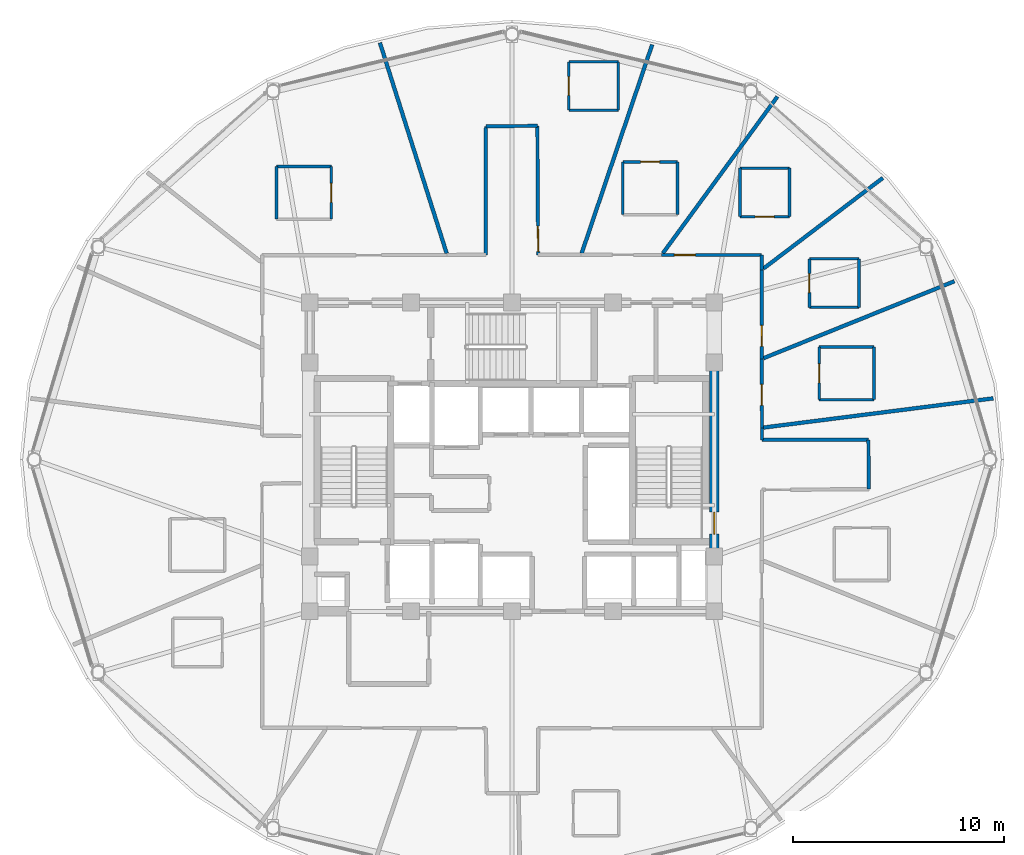
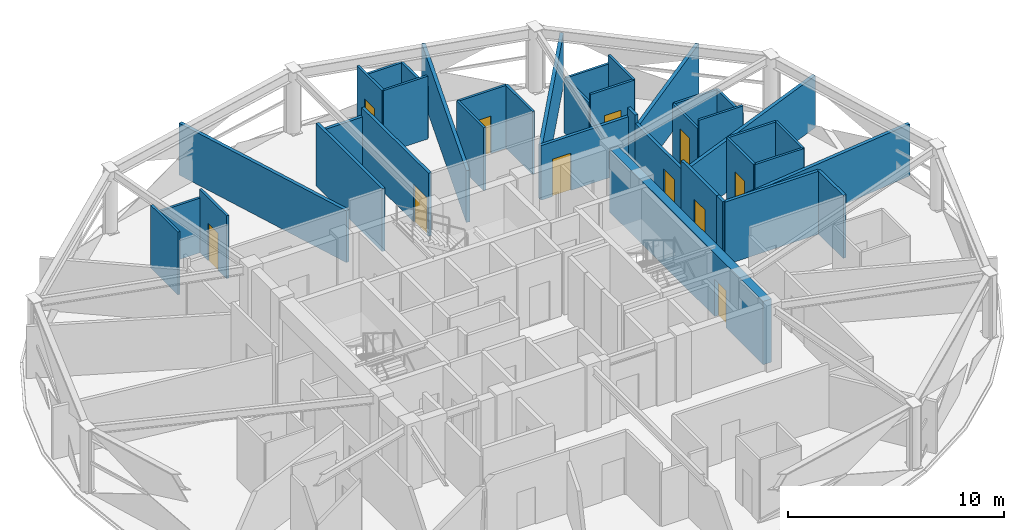
# One storey, part 25 of 30: 39 walls, 11 doors, 11 openings.
"""IFC4 building model written with IfcOpenShell, lengths in metres."""

from ifc_helpers import new_model, si_unit, direction, frame, frame_2d, origin, place, context, subcontext, project, spatial, rectangle, extrude, material, layer, layer_set, type_object, element, fill, save


model = new_model("IFC4")

# Units and contexts
model_context = context("Model", 3, precision=1e-05, world=origin(), true_north=direction((0.0, 1.0)))
body_context = subcontext(model_context, "Body", "Model", "MODEL_VIEW")
ifc_project = project(units=[si_unit("LENGTHUNIT", "METRE"), si_unit("AREAUNIT", "SQUARE_METRE"), si_unit("VOLUMEUNIT", "CUBIC_METRE"), si_unit("PLANEANGLEUNIT", "RADIAN"), si_unit("MASSUNIT", "GRAM", prefix="KILO")], contexts=[model_context])

# Site, building, storey
site_placement = place(None, origin())
site = spatial("IfcSite", under=ifc_project, at=site_placement, CompositionType="ELEMENT")
building_placement = place(site_placement, origin())
building = spatial("IfcBuilding", under=site, at=building_placement, Name="Vantalir Tower", CompositionType="ELEMENT")
storey_placement = place(building_placement, frame((0.0, 0.0, 186.14990234375)))
storey = spatial("IfcBuildingStorey", under=building, at=storey_placement, Name="L46", CompositionType="ELEMENT", Elevation=186.14990234375)

# Walls
ifc_material_1 = material(Name="Moisture-resistant en-suite partition", Category="gypsum")
ifc_layer_1 = layer(ifc_material_1, 0.125)
ifc_layer_set_1 = layer_set([ifc_layer_1], Name="Moisture-resistant en-suite partition")
wall_type_1 = type_object("IfcWallType", Name="WL-BATH-125", PredefinedType="PARTITIONING", material=ifc_layer_set_1)
for number, where, z_axis, x_axis, name in (
    (1, (46.080078125, 27.842041015625, 0.0), (0.0, 0.0, 1.0), (1.0, 0.0, 0.0), "L46 En-suite 01 South Wall"),
    (2, (46.080078125, 30.342041015625, 0.0), (0.0, 0.0, 1.0), (1.0, 0.0, 0.0), "L46 En-suite 01 North Wall"),
):
    element("IfcWall", number, at=place(storey_placement, frame(where, z_axis=z_axis, x_axis=x_axis)), inside=storey, type_object=wall_type_1, Name=name, PredefinedType="PARTITIONING", context=body_context, shape_type="SweptSolid", body=[
        extrude(rectangle(XDim=2.599853515625, YDim=0.125, at=frame_2d((1.2998046875, 0.0))), origin(), (0.0, 0.0, 1.0), 3.550048828125),
    ])

# Wall, opening, door
wall_1_placement = place(storey_placement, frame((46.080078125, 27.842041015625, 0.0), z_axis=(0.0, 0.0, 1.0), x_axis=(0.0, 1.0, 0.0)))
wall_1 = element("IfcWall", 3, at=wall_1_placement, inside=storey, type_object=wall_type_1, Name="L46 En-suite 01 West Wall", PredefinedType="PARTITIONING", context=body_context, shape_type="SweptSolid", body=[
    extrude(rectangle(XDim=2.5, YDim=0.125, at=frame_2d((1.25, 0.0))), origin(), (0.0, 0.0, 1.0), 3.550048828125),
])
opening_1_placement = place(wall_1_placement, frame((0.800048828125, 0.0, 0.0)))
opening_1 = element("IfcOpeningElement", 4, at=opening_1_placement, cuts=wall_1, Name="Opening D-WC", PredefinedType="OPENING", context=body_context, shape_type="SweptSolid", body=[
    extrude(rectangle(XDim=0.89990234375, YDim=2.10009765625, at=frame_2d((0.449951171875, 1.050048828125))), frame((0.0, 0.072509765625, 0.0), z_axis=(0.0, -1.0, 0.0), x_axis=(1.0, 0.0, 0.0)), (0.0, 0.0, 1.0), 0.14501953125),
])
ifc_material_2 = material(Name="Moisture-resistant hardwood door", Category="wood")
door_type_1 = type_object("IfcDoorType", Name="DR-ENSUITE-900", OperationType="NOTDEFINED", PredefinedType="DOOR", material=ifc_material_2)
door_1_placement = place(opening_1_placement, frame((0.89990234375, 0.0, 0.0), z_axis=(0.0, 0.0, 1.0), x_axis=(-1.0, 0.0, 0.0)))
door_1 = element("IfcDoor", 5, at=door_1_placement, inside=storey, type_object=door_type_1, Name="L46 En-suite 01 Door", OperationType="SINGLE_SWING_RIGHT", OverallHeight=2.10009765625, OverallWidth=0.89990234375, PredefinedType="DOOR", context=body_context, shape_type="SweptSolid", body=[
    extrude(rectangle(XDim=0.89990234375, YDim=2.10009765625, at=frame_2d((0.449951171875, 1.050048828125))), frame((0.0, 0.02490234375, 0.0), z_axis=(0.0, -1.0, 0.0), x_axis=(1.0, 0.0, 0.0)), (0.0, 0.0, 1.0), 0.050048828125),
])
fill(opening_1, door_1)

# Walls
wall_2_placement = place(storey_placement, frame((48.679931640625, 27.842041015625, 0.0), z_axis=(0.0, 0.0, 1.0), x_axis=(0.0, 1.0, 0.0)))
element("IfcWall", 6, at=wall_2_placement, inside=storey, type_object=wall_type_1, Name="L46 En-suite 01 East Wall", PredefinedType="PARTITIONING", context=body_context, shape_type="SweptSolid", body=[
    extrude(rectangle(XDim=2.5, YDim=0.125, at=frame_2d((1.25, 0.0))), origin(), (0.0, 0.0, 1.0), 3.550048828125),
])
wall_3_placement = place(storey_placement, frame((45.616943359375, 32.22509765625, 0.0), z_axis=(0.0, 0.0, 1.0), x_axis=(1.0, 0.0, 0.0)))
element("IfcWall", 7, at=wall_3_placement, inside=storey, type_object=wall_type_1, Name="L46 En-suite 02 South Wall", PredefinedType="PARTITIONING", context=body_context, shape_type="SweptSolid", body=[
    extrude(rectangle(XDim=2.35009765625, YDim=0.125, at=frame_2d((1.175048828125, 0.0))), origin(), (0.0, 0.0, 1.0), 3.550048828125),
])
wall_4_placement = place(storey_placement, frame((45.616943359375, 34.52490234375, 0.0), z_axis=(0.0, 0.0, 1.0), x_axis=(1.0, 0.0, 0.0)))
element("IfcWall", 8, at=wall_4_placement, inside=storey, type_object=wall_type_1, Name="L46 En-suite 02 North Wall", PredefinedType="PARTITIONING", context=body_context, shape_type="SweptSolid", body=[
    extrude(rectangle(XDim=2.35009765625, YDim=0.125, at=frame_2d((1.175048828125, 0.0))), origin(), (0.0, 0.0, 1.0), 3.0810546875),
])

# Wall, opening, door
wall_5_placement = place(storey_placement, frame((45.616943359375, 32.22509765625, 0.0), z_axis=(0.0, 0.0, 1.0), x_axis=(0.0, 1.0, 0.0)))
wall_5 = element("IfcWall", 9, at=wall_5_placement, inside=storey, type_object=wall_type_1, Name="L46 En-suite 02 West Wall", PredefinedType="PARTITIONING", context=body_context, shape_type="SweptSolid", body=[
    extrude(rectangle(XDim=2.2998046875, YDim=0.125, at=frame_2d((1.14990234375, 0.0))), origin(), (0.0, 0.0, 1.0), 3.0810546875),
])
opening_2_placement = place(wall_5_placement, frame((0.699951171875, 0.0, 0.0)))
opening_2 = element("IfcOpeningElement", 10, at=opening_2_placement, cuts=wall_5, Name="Opening D-WC", PredefinedType="OPENING", context=body_context, shape_type="SweptSolid", body=[
    extrude(rectangle(XDim=0.89990234375, YDim=2.10009765625, at=frame_2d((0.449951171875, 1.050048828125))), frame((0.0, 0.072509765625, 0.0), z_axis=(0.0, -1.0, 0.0), x_axis=(1.0, 0.0, 0.0)), (0.0, 0.0, 1.0), 0.14501953125),
])
door_2_placement = place(opening_2_placement, frame((0.89990234375, 0.0, 0.0), z_axis=(0.0, 0.0, 1.0), x_axis=(-1.0, 0.0, 0.0)))
door_2 = element("IfcDoor", 11, at=door_2_placement, inside=storey, type_object=door_type_1, Name="L46 En-suite 02 Door", OperationType="SINGLE_SWING_LEFT", OverallHeight=2.10009765625, OverallWidth=0.89990234375, PredefinedType="DOOR", context=body_context, shape_type="SweptSolid", body=[
    extrude(rectangle(XDim=0.89990234375, YDim=2.10009765625, at=frame_2d((0.449951171875, 1.050048828125))), frame((0.0, 0.02490234375, 0.0), z_axis=(0.0, -1.0, 0.0), x_axis=(1.0, 0.0, 0.0)), (0.0, 0.0, 1.0), 0.050048828125),
])
fill(opening_2, door_2)

# Wall
wall_6_placement = place(storey_placement, frame((47.967041015625, 32.22509765625, 0.0), z_axis=(0.0, 0.0, 1.0), x_axis=(0.0, 1.0, 0.0)))
element("IfcWall", 12, at=wall_6_placement, inside=storey, type_object=wall_type_1, Name="L46 En-suite 02 East Wall", PredefinedType="PARTITIONING", context=body_context, shape_type="SweptSolid", body=[
    extrude(rectangle(XDim=2.2998046875, YDim=0.125, at=frame_2d((1.14990234375, 0.0))), origin(), (0.0, 0.0, 1.0), 3.0810546875),
])

# Wall, opening, door
wall_7_placement = place(storey_placement, frame((42.319091796875, 36.530029296875, 0.0), z_axis=(0.0, 0.0, 1.0), x_axis=(1.0, 0.0, 0.0)))
wall_7 = element("IfcWall", 13, at=wall_7_placement, inside=storey, type_object=wall_type_1, Name="L46 En-suite 03 South Wall", PredefinedType="PARTITIONING", context=body_context, shape_type="SweptSolid", body=[
    extrude(rectangle(XDim=2.349853515625, YDim=0.125, at=frame_2d((1.1748046875, 0.0))), origin(), (0.0, 0.0, 1.0), 3.550048828125),
])
opening_3_placement = place(wall_7_placement, frame((0.72509765625, 0.0, 0.0)))
opening_3 = element("IfcOpeningElement", 14, at=opening_3_placement, cuts=wall_7, Name="Opening D-WC", PredefinedType="OPENING", context=body_context, shape_type="SweptSolid", body=[
    extrude(rectangle(XDim=0.89990234375, YDim=2.10009765625, at=frame_2d((0.449951171875, 1.050048828125))), frame((0.0, 0.072509765625, 0.0), z_axis=(0.0, -1.0, 0.0), x_axis=(1.0, 0.0, 0.0)), (0.0, 0.0, 1.0), 0.14501953125),
])
door_3_placement = place(opening_3_placement, origin())
door_3 = element("IfcDoor", 15, at=door_3_placement, inside=storey, type_object=door_type_1, Name="L46 En-suite 03 Door", OperationType="SINGLE_SWING_RIGHT", OverallHeight=2.10009765625, OverallWidth=0.89990234375, PredefinedType="DOOR", context=body_context, shape_type="SweptSolid", body=[
    extrude(rectangle(XDim=0.89990234375, YDim=2.10009765625, at=frame_2d((0.449951171875, 1.050048828125))), frame((0.0, 0.02490234375, 0.0), z_axis=(0.0, -1.0, 0.0), x_axis=(1.0, 0.0, 0.0)), (0.0, 0.0, 1.0), 0.050048828125),
])
fill(opening_3, door_3)

# Walls
wall_8_placement = place(storey_placement, frame((42.319091796875, 38.830078125, 0.0), z_axis=(0.0, 0.0, 1.0), x_axis=(1.0, 0.0, 0.0)))
element("IfcWall", 16, at=wall_8_placement, inside=storey, type_object=wall_type_1, Name="L46 En-suite 03 North Wall", PredefinedType="PARTITIONING", context=body_context, shape_type="SweptSolid", body=[
    extrude(rectangle(XDim=2.349853515625, YDim=0.125, at=frame_2d((1.1748046875, 0.0))), origin(), (0.0, 0.0, 1.0), 3.0810546875),
])
wall_9_placement = place(storey_placement, frame((42.319091796875, 36.530029296875, 0.0), z_axis=(0.0, 0.0, 1.0), x_axis=(0.0, 1.0, 0.0)))
element("IfcWall", 17, at=wall_9_placement, inside=storey, type_object=wall_type_1, Name="L46 En-suite 03 West Wall", PredefinedType="PARTITIONING", context=body_context, shape_type="SweptSolid", body=[
    extrude(rectangle(XDim=2.300048828125, YDim=0.125, at=frame_2d((1.14990234375, 0.0))), origin(), (0.0, 0.0, 1.0), 3.0810546875),
])
wall_10_placement = place(storey_placement, frame((44.6689453125, 36.530029296875, 0.0), z_axis=(0.0, 0.0, 1.0), x_axis=(0.0, 1.0, 0.0)))
element("IfcWall", 18, at=wall_10_placement, inside=storey, type_object=wall_type_1, Name="L46 En-suite 03 East Wall", PredefinedType="PARTITIONING", context=body_context, shape_type="SweptSolid", body=[
    extrude(rectangle(XDim=2.300048828125, YDim=0.125, at=frame_2d((1.14990234375, 0.0))), origin(), (0.0, 0.0, 1.0), 3.550048828125),
])

# Wall, opening, door
wall_11_placement = place(storey_placement, frame((36.757080078125, 39.125, 0.0), z_axis=(0.0, 0.0, 1.0), x_axis=(1.0, 0.0, 0.0)))
wall_11 = element("IfcWall", 19, at=wall_11_placement, inside=storey, type_object=wall_type_1, Name="L46 En-suite 04 North Wall", PredefinedType="PARTITIONING", context=body_context, shape_type="SweptSolid", body=[
    extrude(rectangle(XDim=2.599853515625, YDim=0.125, at=frame_2d((1.2998046875, 0.0))), origin(), (0.0, 0.0, 1.0), 3.550048828125),
])
opening_4_placement = place(wall_11_placement, frame((0.85009765625, 0.0, 0.0)))
opening_4 = element("IfcOpeningElement", 20, at=opening_4_placement, cuts=wall_11, Name="Opening D-WC", PredefinedType="OPENING", context=body_context, shape_type="SweptSolid", body=[
    extrude(rectangle(XDim=0.89990234375, YDim=2.10009765625, at=frame_2d((0.449951171875, 1.050048828125))), frame((0.0, 0.072509765625, 0.0), z_axis=(0.0, -1.0, 0.0), x_axis=(1.0, 0.0, 0.0)), (0.0, 0.0, 1.0), 0.14501953125),
])
door_4_placement = place(opening_4_placement, frame((0.89990234375, 0.0, 0.0), z_axis=(0.0, 0.0, 1.0), x_axis=(-1.0, 0.0, 0.0)))
door_4 = element("IfcDoor", 21, at=door_4_placement, inside=storey, type_object=door_type_1, Name="L46 En-suite 04 Door", OperationType="SINGLE_SWING_LEFT", OverallHeight=2.10009765625, OverallWidth=0.89990234375, PredefinedType="DOOR", context=body_context, shape_type="SweptSolid", body=[
    extrude(rectangle(XDim=0.89990234375, YDim=2.10009765625, at=frame_2d((0.449951171875, 1.050048828125))), frame((0.0, 0.02490234375, 0.0), z_axis=(0.0, -1.0, 0.0), x_axis=(1.0, 0.0, 0.0)), (0.0, 0.0, 1.0), 0.050048828125),
])
fill(opening_4, door_4)

# Walls
for number, where, z_axis, x_axis, name in (
    (22, (36.757080078125, 36.625, 0.0), (0.0, 0.0, 1.0), (0.0, 1.0, 0.0), "L46 En-suite 04 West Wall"),
    (23, (39.35693359375, 36.625, 0.0), (0.0, 0.0, 1.0), (0.0, 1.0, 0.0), "L46 En-suite 04 East Wall"),
):
    element("IfcWall", number, at=place(storey_placement, frame(where, z_axis=z_axis, x_axis=x_axis)), inside=storey, type_object=wall_type_1, Name=name, PredefinedType="PARTITIONING", context=body_context, shape_type="SweptSolid", body=[
        extrude(rectangle(XDim=2.5, YDim=0.125, at=frame_2d((1.25, 0.0))), origin(), (0.0, 0.0, 1.0), 3.550048828125),
    ])
wall_12_placement = place(storey_placement, frame((34.195068359375, 41.5810546875, 0.0), z_axis=(0.0, 0.0, 1.0), x_axis=(1.0, 0.0, 0.0)))
element("IfcWall", 24, at=wall_12_placement, inside=storey, type_object=wall_type_1, Name="L46 En-suite 05 South Wall", PredefinedType="PARTITIONING", context=body_context, shape_type="SweptSolid", body=[
    extrude(rectangle(XDim=2.349853515625, YDim=0.125, at=frame_2d((1.1748046875, 0.0))), origin(), (0.0, 0.0, 1.0), 3.550048828125),
])
wall_13_placement = place(storey_placement, frame((34.195068359375, 43.881103515625, 0.0), z_axis=(0.0, 0.0, 1.0), x_axis=(1.0, 0.0, 0.0)))
element("IfcWall", 25, at=wall_13_placement, inside=storey, type_object=wall_type_1, Name="L46 En-suite 05 North Wall", PredefinedType="PARTITIONING", context=body_context, shape_type="SweptSolid", body=[
    extrude(rectangle(XDim=2.349853515625, YDim=0.125, at=frame_2d((1.1748046875, 0.0))), origin(), (0.0, 0.0, 1.0), 2.925048828125),
])

# Wall, opening, door
wall_14_placement = place(storey_placement, frame((34.195068359375, 41.5810546875, 0.0), z_axis=(0.0, 0.0, 1.0), x_axis=(0.0, 1.0, 0.0)))
wall_14 = element("IfcWall", 26, at=wall_14_placement, inside=storey, type_object=wall_type_1, Name="L46 En-suite 05 West Wall", PredefinedType="PARTITIONING", context=body_context, shape_type="SweptSolid", body=[
    extrude(rectangle(XDim=2.300048828125, YDim=0.125, at=frame_2d((1.14990234375, 0.0))), origin(), (0.0, 0.0, 1.0), 3.550048828125),
])
opening_5_placement = place(wall_14_placement, frame((0.699951171875, 0.0, 0.0)))
opening_5 = element("IfcOpeningElement", 27, at=opening_5_placement, cuts=wall_14, Name="Opening D-WC", PredefinedType="OPENING", context=body_context, shape_type="SweptSolid", body=[
    extrude(rectangle(XDim=0.89990234375, YDim=2.10009765625, at=frame_2d((0.449951171875, 1.050048828125))), frame((0.0, 0.072509765625, 0.0), z_axis=(0.0, -1.0, 0.0), x_axis=(1.0, 0.0, 0.0)), (0.0, 0.0, 1.0), 0.14501953125),
])
door_5_placement = place(opening_5_placement, frame((0.89990234375, 0.0, 0.0), z_axis=(0.0, 0.0, 1.0), x_axis=(-1.0, 0.0, 0.0)))
door_5 = element("IfcDoor", 28, at=door_5_placement, inside=storey, type_object=door_type_1, Name="L46 En-suite 05 Door", OperationType="SINGLE_SWING_RIGHT", OverallHeight=2.10009765625, OverallWidth=0.89990234375, PredefinedType="DOOR", context=body_context, shape_type="SweptSolid", body=[
    extrude(rectangle(XDim=0.89990234375, YDim=2.10009765625, at=frame_2d((0.449951171875, 1.050048828125))), frame((0.0, 0.02490234375, 0.0), z_axis=(0.0, -1.0, 0.0), x_axis=(1.0, 0.0, 0.0)), (0.0, 0.0, 1.0), 0.050048828125),
])
fill(opening_5, door_5)

# Walls
wall_15_placement = place(storey_placement, frame((36.544921875, 41.5810546875, 0.0), z_axis=(0.0, 0.0, 1.0), x_axis=(0.0, 1.0, 0.0)))
element("IfcWall", 29, at=wall_15_placement, inside=storey, type_object=wall_type_1, Name="L46 En-suite 05 East Wall", PredefinedType="PARTITIONING", context=body_context, shape_type="SweptSolid", body=[
    extrude(rectangle(XDim=2.300048828125, YDim=0.125, at=frame_2d((1.14990234375, 0.0))), origin(), (0.0, 0.0, 1.0), 2.925048828125),
])
wall_16_placement = place(storey_placement, frame((20.322998046875, 38.9130859375, 0.0), z_axis=(0.0, 0.0, 1.0), x_axis=(1.0, 0.0, 0.0)))
element("IfcWall", 30, at=wall_16_placement, inside=storey, type_object=wall_type_1, Name="L46 En-suite 06 North Wall", PredefinedType="PARTITIONING", context=body_context, shape_type="SweptSolid", body=[
    extrude(rectangle(XDim=2.60009765625, YDim=0.125, at=frame_2d((1.300048828125, 0.0))), origin(), (0.0, 0.0, 1.0), 3.0810546875),
])
wall_17_placement = place(storey_placement, frame((20.322998046875, 36.4130859375, 0.0), z_axis=(0.0, 0.0, 1.0), x_axis=(0.0, 1.0, 0.0)))
element("IfcWall", 31, at=wall_17_placement, inside=storey, type_object=wall_type_1, Name="L46 En-suite 06 West Wall", PredefinedType="PARTITIONING", context=body_context, shape_type="SweptSolid", body=[
    extrude(rectangle(XDim=2.5, YDim=0.125, at=frame_2d((1.25, 0.0))), origin(), (0.0, 0.0, 1.0), 3.550048828125),
])

# Wall, opening, door
wall_18_placement = place(storey_placement, frame((22.923095703125, 36.4130859375, 0.0), z_axis=(0.0, 0.0, 1.0), x_axis=(0.0, 1.0, 0.0)))
wall_18 = element("IfcWall", 32, at=wall_18_placement, inside=storey, type_object=wall_type_1, Name="L46 En-suite 06 East Wall", PredefinedType="PARTITIONING", context=body_context, shape_type="SweptSolid", body=[
    extrude(rectangle(XDim=2.5, YDim=0.125, at=frame_2d((1.25, 0.0))), origin(), (0.0, 0.0, 1.0), 3.550048828125),
])
opening_6_placement = place(wall_18_placement, frame((0.800048828125, 0.0, 0.0)))
opening_6 = element("IfcOpeningElement", 33, at=opening_6_placement, cuts=wall_18, Name="Opening D-WC", PredefinedType="OPENING", context=body_context, shape_type="SweptSolid", body=[
    extrude(rectangle(XDim=0.89990234375, YDim=2.10009765625, at=frame_2d((0.449951171875, 1.050048828125))), frame((0.0, 0.072509765625, 0.0), z_axis=(0.0, -1.0, 0.0), x_axis=(1.0, 0.0, 0.0)), (0.0, 0.0, 1.0), 0.14501953125),
])
door_6_placement = place(opening_6_placement, origin())
door_6 = element("IfcDoor", 34, at=door_6_placement, inside=storey, type_object=door_type_1, Name="L46 En-suite 06 Door", OperationType="SINGLE_SWING_LEFT", OverallHeight=2.10009765625, OverallWidth=0.89990234375, PredefinedType="DOOR", context=body_context, shape_type="SweptSolid", body=[
    extrude(rectangle(XDim=0.89990234375, YDim=2.10009765625, at=frame_2d((0.449951171875, 1.050048828125))), frame((0.0, 0.02490234375, 0.0), z_axis=(0.0, -1.0, 0.0), x_axis=(1.0, 0.0, 0.0)), (0.0, 0.0, 1.0), 0.050048828125),
])
fill(opening_6, door_6)

ifc_material_3 = material(Name="Concrete C50/60", Category="concrete")
ifc_layer_2 = layer(ifc_material_3, 0.449951171875)
ifc_layer_set_2 = layer_set([ifc_layer_2], Name="Concrete C50/60")
wall_type_2 = type_object("IfcWallType", Name="WL-CORE-450", PredefinedType="SHEAR", material=ifc_layer_set_2)
wall_19_placement = place(storey_placement, frame((41.10009765625, 18.02490234375, 0.0), z_axis=(0.0, 0.0, 1.0), x_axis=(0.0, 1.0, 0.0)))
wall_19 = element("IfcWall", 35, at=wall_19_placement, inside=storey, type_object=wall_type_2, Name="L46 Core Shear Wall East", PredefinedType="SHEAR", context=body_context, shape_type="SweptSolid", body=[
    extrude(rectangle(XDim=14.2001953125, YDim=0.449951171875, at=frame_2d((7.10009765625, 0.0))), origin(), (0.0, 0.0, 1.0), 3.570068359375),
])
opening_7_placement = place(wall_19_placement, frame((3.43505859375, 0.0, 0.0)))
opening_7 = element("IfcOpeningElement", 36, at=opening_7_placement, cuts=wall_19, Name="Opening D-ST", PredefinedType="OPENING", context=body_context, shape_type="SweptSolid", body=[
    extrude(rectangle(XDim=1.050048828125, YDim=2.10009765625, at=frame_2d((0.52490234375, 1.050048828125))), frame((0.0, 0.23486328125, 0.0), z_axis=(0.0, -1.0, 0.0), x_axis=(1.0, 0.0, 0.0)), (0.0, 0.0, 1.0), 0.469970703125),
])
ifc_material_4 = material(Name="Fire-rated steel door leaf", Category="steel")
door_type_2 = type_object("IfcDoorType", Name="DR-FIRE-STAIR-1050", OperationType="NOTDEFINED", PredefinedType="DOOR", material=ifc_material_4)
door_7_placement = place(opening_7_placement, origin())
door_7 = element("IfcDoor", 37, at=door_7_placement, inside=storey, type_object=door_type_2, Name="L46 Exit Stair ST2 Fire Door", OperationType="SINGLE_SWING_LEFT", OverallHeight=2.10009765625, OverallWidth=1.050048828125, PredefinedType="DOOR", context=body_context, shape_type="SweptSolid", body=[
    extrude(rectangle(XDim=1.050048828125, YDim=2.10009765625, at=frame_2d((0.52490234375, 1.050048828125))), frame((0.0, 0.02490234375, 0.0), z_axis=(0.0, -1.0, 0.0), x_axis=(1.0, 0.0, 0.0)), (0.0, 0.0, 1.0), 0.050048828125),
])
fill(opening_7, door_7)

# Walls
ifc_material_5 = material(Name="Fire-rated hotel corridor acoustic partition", Category="gypsum")
ifc_layer_3 = layer(ifc_material_5, 0.159912109375)
ifc_layer_set_3 = layer_set([ifc_layer_3], Name="Fire-rated hotel corridor acoustic partition")
wall_type_3 = type_object("IfcWallType", Name="WL-CORR-160", PredefinedType="PARTITIONING", material=ifc_layer_set_3)
wall_20_placement = place(storey_placement, frame((30.260009765625, 34.715087890625, 0.0), z_axis=(0.0, 0.0, 1.0), x_axis=(0.000480288118, 0.999999884662, 0.0)))
element("IfcWall", 38, at=wall_20_placement, inside=storey, type_object=wall_type_3, Name="L46 Corridor Partition 08", PredefinedType="PARTITIONING", context=body_context, shape_type="SweptSolid", body=[
    extrude(rectangle(XDim=6.099853515625, YDim=0.159912109375, at=frame_2d((3.0498046875, 0.0))), origin(), (0.0, 0.0, 1.0), 3.550048828125),
])
wall_21_placement = place(storey_placement, frame((30.262939453125, 40.81494140625, 0.0), z_axis=(0.0, 0.0, 1.0), x_axis=(0.999946948611, 0.010300483619, 0.0)))
element("IfcWall", 39, at=wall_21_placement, inside=storey, type_object=wall_type_3, Name="L46 Corridor Partition 09", PredefinedType="PARTITIONING", context=body_context, shape_type="SweptSolid", body=[
    extrude(rectangle(XDim=2.44140625, YDim=0.159912109375, at=frame_2d((1.220703125, 0.0))), origin(), (0.0, 0.0, 1.0), 3.0810546875),
])

# Wall, opening, door
wall_22_placement = place(storey_placement, frame((32.7041015625, 40.840087890625, 0.0), z_axis=(0.0, 0.0, 1.0), x_axis=(0.00585927442, -0.999982834304, 0.0)))
wall_22 = element("IfcWall", 40, at=wall_22_placement, inside=storey, type_object=wall_type_3, Name="L46 Corridor Partition 10", PredefinedType="PARTITIONING", context=body_context, shape_type="SweptSolid", body=[
    extrude(rectangle(XDim=6.125, YDim=0.159912109375, at=frame_2d((3.0625, 0.0))), origin(), (0.0, 0.0, 1.0), 3.550048828125),
])
opening_8_placement = place(wall_22_placement, frame((4.764892578125, 0.0, 0.0)))
opening_8 = element("IfcOpeningElement", 41, at=opening_8_placement, cuts=wall_22, Name="Opening D-STE", PredefinedType="OPENING", context=body_context, shape_type="SweptSolid", body=[
    extrude(rectangle(XDim=1.199951171875, YDim=2.10009765625, at=frame_2d((0.60009765625, 1.050048828125))), frame((0.0, 0.08984375, 0.0), z_axis=(0.0, -1.0, 0.0), x_axis=(1.0, 0.0, 0.0)), (0.0, 0.0, 1.0), 0.179931640625),
])
ifc_material_6 = material(Name="Solid-core teak veneer suite entrance door", Category="wood")
door_type_3 = type_object("IfcDoorType", Name="DR-SUITE-ENTRY-1200", OperationType="NOTDEFINED", PredefinedType="DOOR", material=ifc_material_6)
door_8_placement = place(opening_8_placement, origin())
door_8 = element("IfcDoor", 42, at=door_8_placement, inside=storey, type_object=door_type_3, Name="L46 Corner Panorama Hotel Suite 05 Door", OperationType="SINGLE_SWING_RIGHT", OverallHeight=2.10009765625, OverallWidth=1.199951171875, PredefinedType="DOOR", context=body_context, shape_type="SweptSolid", body=[
    extrude(rectangle(XDim=1.199951171875, YDim=2.10009765625, at=frame_2d((0.60009765625, 1.050048828125))), frame((0.0, 0.02490234375, 0.0), z_axis=(0.0, -1.0, 0.0), x_axis=(1.0, 0.0, 0.0)), (0.0, 0.0, 1.0), 0.050048828125),
])
fill(opening_8, door_8)

wall_23_placement = place(storey_placement, frame((38.60107421875, 34.7109375, 0.0), z_axis=(0.0, 0.0, 1.0), x_axis=(0.999999809461, -0.000617315588, 0.0)))
wall_23 = element("IfcWall", 43, at=wall_23_placement, inside=storey, type_object=wall_type_3, Name="L46 Corridor Partition 13", PredefinedType="PARTITIONING", context=body_context, shape_type="SweptSolid", body=[
    extrude(rectangle(XDim=4.745849609375, YDim=0.159912109375, at=frame_2d((2.373046875, 0.0))), origin(), (0.0, 0.0, 1.0), 3.0810546875),
])
opening_9_placement = place(wall_23_placement, frame((0.60693359375, 0.0, 0.0)))
opening_9 = element("IfcOpeningElement", 44, at=opening_9_placement, cuts=wall_23, Name="Opening D-GUEST", PredefinedType="OPENING", context=body_context, shape_type="SweptSolid", body=[
    extrude(rectangle(XDim=1.0, YDim=2.10009765625, at=frame_2d((0.5, 1.050048828125))), frame((0.0, 0.08984375, 0.0), z_axis=(0.0, -1.0, 0.0), x_axis=(1.0, 0.0, 0.0)), (0.0, 0.0, 1.0), 0.179931640625),
])
ifc_material_7 = material(Name="Solid-core teak veneer acoustic fire door", Category="wood")
door_type_4 = type_object("IfcDoorType", Name="DR-GUEST-ENTRY-1000", OperationType="NOTDEFINED", PredefinedType="DOOR", material=ifc_material_7)
door_9_placement = place(opening_9_placement, origin())
door_9 = element("IfcDoor", 45, at=door_9_placement, inside=storey, type_object=door_type_4, Name="L46 Deluxe King Hotel Room 03 Door", OperationType="SINGLE_SWING_RIGHT", OverallHeight=2.10009765625, OverallWidth=1.0, PredefinedType="DOOR", context=body_context, shape_type="SweptSolid", body=[
    extrude(rectangle(XDim=1.0, YDim=2.10009765625, at=frame_2d((0.5, 1.050048828125))), frame((0.0, 0.02490234375, 0.0), z_axis=(0.0, -1.0, 0.0), x_axis=(1.0, 0.0, 0.0)), (0.0, 0.0, 1.0), 0.050048828125),
])
fill(opening_9, door_9)

# Wall
wall_24_placement = place(storey_placement, frame((43.346923828125, 34.7080078125, 0.0), z_axis=(0.0, 0.0, 1.0), x_axis=(0.00309915867, -0.999995197596, 0.0)))
element("IfcWall", 46, at=wall_24_placement, inside=storey, type_object=wall_type_3, Name="L46 Corridor Partition 14", PredefinedType="PARTITIONING", context=body_context, shape_type="SweptSolid", body=[
    extrude(rectangle(XDim=0.708984375, YDim=0.159912109375, at=frame_2d((0.3544921875, 0.0))), origin(), (0.0, 0.0, 1.0), 3.550048828125),
])

# Wall, opening, door
wall_25_placement = place(storey_placement, frame((43.34912109375, 33.9990234375, 0.0), z_axis=(0.0, 0.0, 1.0), x_axis=(0.001850884677, -0.999998287111, 0.0)))
wall_25 = element("IfcWall", 47, at=wall_25_placement, inside=storey, type_object=wall_type_3, Name="L46 Corridor Partition 15", PredefinedType="PARTITIONING", context=body_context, shape_type="SweptSolid", body=[
    extrude(rectangle(XDim=4.220947265625, YDim=0.159912109375, at=frame_2d((2.1103515625, 0.0))), origin(), (0.0, 0.0, 1.0), 3.0810546875),
])
opening_10_placement = place(wall_25_placement, frame((2.6259765625, 0.0, 0.0)))
opening_10 = element("IfcOpeningElement", 48, at=opening_10_placement, cuts=wall_25, Name="Opening D-GUEST", PredefinedType="OPENING", context=body_context, shape_type="SweptSolid", body=[
    extrude(rectangle(XDim=1.0, YDim=2.10009765625, at=frame_2d((0.5, 1.050048828125))), frame((0.0, 0.08984375, 0.0), z_axis=(0.0, -1.0, 0.0), x_axis=(1.0, 0.0, 0.0)), (0.0, 0.0, 1.0), 0.179931640625),
])
door_10_placement = place(opening_10_placement, origin())
door_10 = element("IfcDoor", 49, at=door_10_placement, inside=storey, type_object=door_type_4, Name="L46 Deluxe King Hotel Room 02 Door", OperationType="SINGLE_SWING_LEFT", OverallHeight=2.10009765625, OverallWidth=1.0, PredefinedType="DOOR", context=body_context, shape_type="SweptSolid", body=[
    extrude(rectangle(XDim=1.0, YDim=2.10009765625, at=frame_2d((0.5, 1.050048828125))), frame((0.0, 0.02490234375, 0.0), z_axis=(0.0, -1.0, 0.0), x_axis=(1.0, 0.0, 0.0)), (0.0, 0.0, 1.0), 0.050048828125),
])
fill(opening_10, door_10)

wall_26_placement = place(storey_placement, frame((43.35693359375, 29.778076171875, 0.0), z_axis=(0.0, 0.0, 1.0), x_axis=(0.00216579029, -0.999997654673, 0.0)))
wall_26 = element("IfcWall", 50, at=wall_26_placement, inside=storey, type_object=wall_type_3, Name="L46 Corridor Partition 16", PredefinedType="PARTITIONING", context=body_context, shape_type="SweptSolid", body=[
    extrude(rectangle(XDim=3.26904296875, YDim=0.159912109375, at=frame_2d((1.634521484375, 0.0))), origin(), (0.0, 0.0, 1.0), 3.550048828125),
])
opening_11_placement = place(wall_26_placement, frame((1.208984375, 0.0, 0.0)))
opening_11 = element("IfcOpeningElement", 51, at=opening_11_placement, cuts=wall_26, Name="Opening D-GUEST", PredefinedType="OPENING", context=body_context, shape_type="SweptSolid", body=[
    extrude(rectangle(XDim=1.0, YDim=2.10009765625, at=frame_2d((0.5, 1.050048828125))), frame((0.0, 0.08984375, 0.0), z_axis=(0.0, -1.0, 0.0), x_axis=(1.0, 0.0, 0.0)), (0.0, 0.0, 1.0), 0.179931640625),
])
door_11_placement = place(opening_11_placement, origin())
door_11 = element("IfcDoor", 52, at=door_11_placement, inside=storey, type_object=door_type_4, Name="L46 Twin Queen Hotel Room 01 Door", OperationType="SINGLE_SWING_RIGHT", OverallHeight=2.10009765625, OverallWidth=1.0, PredefinedType="DOOR", context=body_context, shape_type="SweptSolid", body=[
    extrude(rectangle(XDim=1.0, YDim=2.10009765625, at=frame_2d((0.5, 1.050048828125))), frame((0.0, 0.02490234375, 0.0), z_axis=(0.0, -1.0, 0.0), x_axis=(1.0, 0.0, 0.0)), (0.0, 0.0, 1.0), 0.050048828125),
])
fill(opening_11, door_11)

# Walls
wall_27_placement = place(storey_placement, frame((43.364013671875, 26.509033203125, 0.0), z_axis=(0.0, 0.0, 1.0), x_axis=(0.001715999189, -0.999998527672, 0.0)))
element("IfcWall", 53, at=wall_27_placement, inside=storey, type_object=wall_type_3, Name="L46 Corridor Partition 17", PredefinedType="PARTITIONING", context=body_context, shape_type="SweptSolid", body=[
    extrude(rectangle(XDim=0.569091796875, YDim=0.159912109375, at=frame_2d((0.28466796875, 0.0))), origin(), (0.0, 0.0, 1.0), 3.550048828125),
])
wall_28_placement = place(storey_placement, frame((43.364990234375, 25.93994140625, 0.0), z_axis=(0.0, 0.0, 1.0), x_axis=(0.999999831724, -0.000580130432, 0.0)))
element("IfcWall", 54, at=wall_28_placement, inside=storey, type_object=wall_type_3, Name="L46 Corridor Partition 18", PredefinedType="PARTITIONING", context=body_context, shape_type="SweptSolid", body=[
    extrude(rectangle(XDim=5.050048828125, YDim=0.159912109375, at=frame_2d((2.52490234375, 0.0))), origin(), (0.0, 0.0, 1.0), 3.550048828125),
])
wall_29_placement = place(storey_placement, frame((48.4150390625, 25.93701171875, 0.0), z_axis=(0.0, 0.0, 1.0), x_axis=(0.010636586698, -0.999943429912, 0.0)))
element("IfcWall", 55, at=wall_29_placement, inside=storey, type_object=wall_type_3, Name="L46 Corridor Partition 19", PredefinedType="PARTITIONING", context=body_context, shape_type="SweptSolid", body=[
    extrude(rectangle(XDim=2.34130859375, YDim=0.159912109375, at=frame_2d((1.170654296875, 0.0))), origin(), (0.0, 0.0, 1.0), 3.550048828125),
])
ifc_material_8 = material(Name="Twin-stud acoustic fire-rated gypsum partition", Category="gypsum")
ifc_layer_4 = layer(ifc_material_8, 0.179931640625)
ifc_layer_set_4 = layer_set([ifc_layer_4], Name="Twin-stud acoustic fire-rated gypsum partition")
wall_type_4 = type_object("IfcWallType", Name="WL-GUEST-180", PredefinedType="PARTITIONING", material=ifc_layer_set_4)
wall_30_placement = place(storey_placement, frame((43.43994140625, 26.51904296875, 0.0), z_axis=(0.0, 0.0, 1.0), x_axis=(0.99200307121, 0.12621373424, 0.0)))
element("IfcWall", 56, at=wall_30_placement, inside=storey, type_object=wall_type_4, Name="L46 Radial Suite Partition 01", PredefinedType="PARTITIONING", context=body_context, shape_type="SweptSolid", body=[
    extrude(rectangle(XDim=10.989013671875, YDim=0.179931640625, at=frame_2d((5.49462890625, 0.0))), origin(), (0.0, 0.0, 1.0), 2.925048828125),
])
wall_31_placement = place(storey_placement, frame((43.43994140625, 29.81201171875, 0.0), z_axis=(0.0, 0.0, 1.0), x_axis=(0.927518376856, 0.373777554963, 0.0)))
element("IfcWall", 57, at=wall_31_placement, inside=storey, type_object=wall_type_4, Name="L46 Radial Suite Partition 02", PredefinedType="PARTITIONING", context=body_context, shape_type="SweptSolid", body=[
    extrude(rectangle(XDim=9.764892578125, YDim=0.179931640625, at=frame_2d((4.88232421875, 0.0))), origin(), (0.0, 0.0, 1.0), 2.925048828125),
])
wall_32_placement = place(storey_placement, frame((43.43994140625, 34.068115234375, 0.0), z_axis=(0.0, 0.0, 1.0), x_axis=(0.796358076738, 0.604825440614, 0.0)))
element("IfcWall", 58, at=wall_32_placement, inside=storey, type_object=wall_type_4, Name="L46 Radial Suite Partition 03", PredefinedType="PARTITIONING", context=body_context, shape_type="SweptSolid", body=[
    extrude(rectangle(XDim=7.107666015625, YDim=0.179931640625, at=frame_2d((3.5537109375, 0.0))), origin(), (0.0, 0.0, 1.0), 2.925048828125),
])
wall_33_placement = place(storey_placement, frame((38.658935546875, 34.7900390625, 0.0), z_axis=(0.0, 0.0, 1.0), x_axis=(0.590246447898, 0.807223098495, 0.0)))
element("IfcWall", 59, at=wall_33_placement, inside=storey, type_object=wall_type_4, Name="L46 Radial Suite Partition 04", PredefinedType="PARTITIONING", context=body_context, shape_type="SweptSolid", body=[
    extrude(rectangle(XDim=9.213134765625, YDim=0.179931640625, at=frame_2d((4.6064453125, 0.0))), origin(), (0.0, 0.0, 1.0), 2.925048828125),
])
wall_34_placement = place(storey_placement, frame((34.806884765625, 34.7900390625, 0.0), z_axis=(0.0, 0.0, 1.0), x_axis=(0.320029987421, 0.947407413498, 0.0)))
element("IfcWall", 60, at=wall_34_placement, inside=storey, type_object=wall_type_4, Name="L46 Radial Suite Partition 05", PredefinedType="PARTITIONING", context=body_context, shape_type="SweptSolid", body=[
    extrude(rectangle(XDim=10.452880859375, YDim=0.179931640625, at=frame_2d((5.2265625, 0.0))), origin(), (0.0, 0.0, 1.0), 2.925048828125),
])
wall_35_placement = place(storey_placement, frame((28.39794921875, 34.7900390625, 0.0), z_axis=(0.0, 0.0, 1.0), x_axis=(-0.301976006653, 0.953315525629, 0.0)))
element("IfcWall", 61, at=wall_35_placement, inside=storey, type_object=wall_type_4, Name="L46 Radial Suite Partition 06", PredefinedType="PARTITIONING", context=body_context, shape_type="SweptSolid", body=[
    extrude(rectangle(XDim=10.484375, YDim=0.179931640625, at=frame_2d((5.2421875, 0.0))), origin(), (0.0, 0.0, 1.0), 2.925048828125),
])

save(model, "model.ifc")
